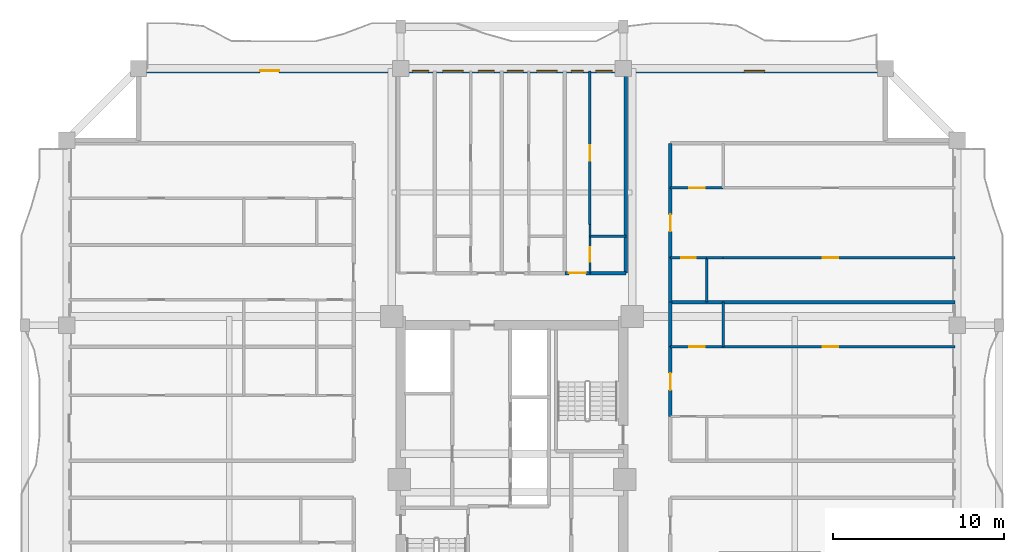
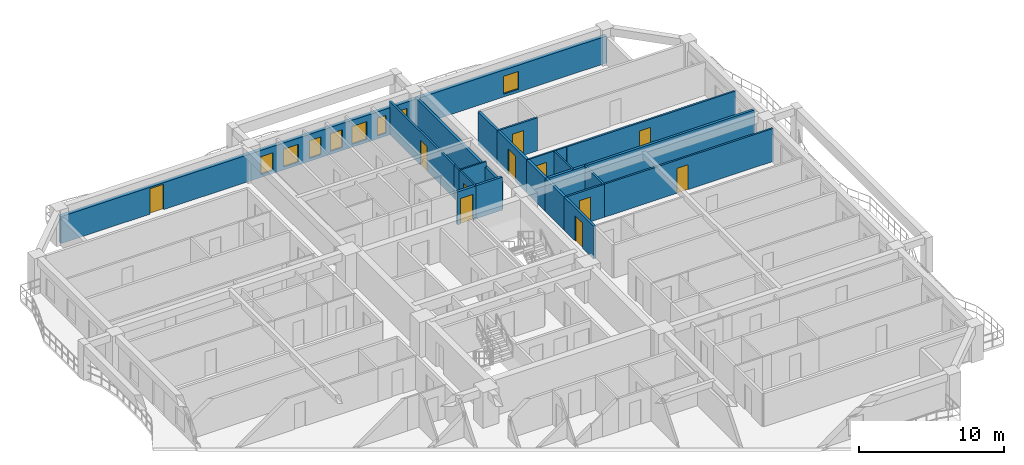
# One storey, part 8 of 14: 22 walls, 11 doors, 8 windows, 19 openings.
"""IFC4 building model written with IfcOpenShell, lengths in metres."""

from ifc_helpers import new_model, si_unit, direction, frame, frame_2d, origin, place, context, subcontext, project, spatial, rectangle, extrude, source, transform, mapped, material, layer, layer_set, type_object, element, fill, save


model = new_model("IFC4")

# Units and contexts
model_context = context("Model", 3, precision=1e-05, world=origin(), true_north=direction((0.0, 1.0)))
body_context = subcontext(model_context, "Body", "Model", "MODEL_VIEW")
ifc_project = project(units=[si_unit("LENGTHUNIT", "METRE"), si_unit("AREAUNIT", "SQUARE_METRE"), si_unit("VOLUMEUNIT", "CUBIC_METRE"), si_unit("PLANEANGLEUNIT", "RADIAN"), si_unit("MASSUNIT", "GRAM", prefix="KILO")], contexts=[model_context])

# Site, building, storey
site_placement = place(None, origin())
site = spatial("IfcSite", under=ifc_project, at=site_placement, CompositionType="ELEMENT")
building_placement = place(site_placement, origin())
building = spatial("IfcBuilding", under=site, at=building_placement, Name="Saelheon Loggia Tower", CompositionType="ELEMENT")
storey_placement = place(building_placement, frame((0.0, 0.0, 119.85009765625)))
storey = spatial("IfcBuildingStorey", under=building, at=storey_placement, Name="L38", CompositionType="ELEMENT", Elevation=119.85009765625)

# Wall, openings, windows, door
ifc_material_1 = material(Name="Architectural Precast Concrete C40/50", Category="concrete")
ifc_layer_1 = layer(ifc_material_1, 0.280029296875)
ifc_layer_set_1 = layer_set([ifc_layer_1], Name="Architectural Precast Concrete C40/50")
wall_type_1 = type_object("IfcWallType", Name="Wall_Ext_Loggia_280", PredefinedType="SOLIDWALL", material=ifc_layer_set_1)
wall_1_placement = place(storey_placement, frame((16.199951171875, 50.860107421875, 0.0), z_axis=(0.0, 0.0, 1.0), x_axis=(1.0, 0.0, 0.0)))
wall_1 = element("IfcWall", 1, at=wall_1_placement, inside=storey, type_object=wall_type_1, Name="L38 North Loggia Inner Wall", PredefinedType="SOLIDWALL", context=body_context, shape_type="SweptSolid", body=[
    extrude(rectangle(XDim=43.60009765625, YDim=0.280029296875, at=frame_2d((21.800048828125, 0.0))), origin(), (0.0, 0.0, 1.0), 2.27978515625),
])
opening_1_placement = place(wall_1_placement, frame((7.10009765625, 0.0, 0.0)))
opening_1 = element("IfcOpeningElement", 2, at=opening_1_placement, cuts=wall_1, Name="Opening TD1", PredefinedType="OPENING", context=body_context, shape_type="SweptSolid", body=[
    extrude(rectangle(XDim=1.10009765625, YDim=2.14990234375, at=frame_2d((0.550048828125, 1.074951171875))), frame((0.0, 0.152099609375, 0.0), z_axis=(0.0, -1.0, 0.0), x_axis=(1.0, 0.0, 0.0)), (0.0, 0.0, 1.0), 0.303955078125),
])
opening_2_placement = place(wall_1_placement, frame((15.982421875, 0.0, 0.25)))
opening_2 = element("IfcOpeningElement", 3, at=opening_2_placement, cuts=wall_1, Name="Opening WN-04", PredefinedType="OPENING", context=body_context, shape_type="SweptSolid", body=[
    extrude(rectangle(XDim=0.949951171875, YDim=1.5, at=frame_2d((0.47509765625, 0.75))), frame((0.0, 0.152099609375, 0.0), z_axis=(0.0, -1.0, 0.0), x_axis=(1.0, 0.0, 0.0)), (0.0, 0.0, 1.0), 0.303955078125),
])
opening_3_placement = place(wall_1_placement, frame((17.75, 0.0, 0.25)))
opening_3 = element("IfcOpeningElement", 4, at=opening_3_placement, cuts=wall_1, Name="Opening WN-03", PredefinedType="OPENING", context=body_context, shape_type="SweptSolid", body=[
    extrude(rectangle(XDim=1.199951171875, YDim=1.5, at=frame_2d((0.60009765625, 0.75))), frame((0.0, 0.152099609375, 0.0), z_axis=(0.0, -1.0, 0.0), x_axis=(1.0, 0.0, 0.0)), (0.0, 0.0, 1.0), 0.303955078125),
])
opening_4_placement = place(wall_1_placement, frame((19.826416015625, 0.0, 0.25)))
opening_4 = element("IfcOpeningElement", 5, at=opening_4_placement, cuts=wall_1, Name="Opening WN-04", PredefinedType="OPENING", context=body_context, shape_type="SweptSolid", body=[
    extrude(rectangle(XDim=0.949951171875, YDim=1.5, at=frame_2d((0.47509765625, 0.75))), frame((0.0, 0.152099609375, 0.0), z_axis=(0.0, -1.0, 0.0), x_axis=(1.0, 0.0, 0.0)), (0.0, 0.0, 1.0), 0.303955078125),
])
opening_5_placement = place(wall_1_placement, frame((21.517333984375, 0.0, 0.25)))
opening_5 = element("IfcOpeningElement", 6, at=opening_5_placement, cuts=wall_1, Name="Opening WN-04", PredefinedType="OPENING", context=body_context, shape_type="SweptSolid", body=[
    extrude(rectangle(XDim=0.949951171875, YDim=1.5, at=frame_2d((0.47509765625, 0.75))), frame((0.0, 0.152099609375, 0.0), z_axis=(0.0, -1.0, 0.0), x_axis=(1.0, 0.0, 0.0)), (0.0, 0.0, 1.0), 0.303955078125),
])
opening_6_placement = place(wall_1_placement, frame((23.23193359375, 0.0, 0.25)))
opening_6 = element("IfcOpeningElement", 7, at=opening_6_placement, cuts=wall_1, Name="Opening WN-03", PredefinedType="OPENING", context=body_context, shape_type="SweptSolid", body=[
    extrude(rectangle(XDim=1.199951171875, YDim=1.5, at=frame_2d((0.60009765625, 0.75))), frame((0.0, 0.152099609375, 0.0), z_axis=(0.0, -1.0, 0.0), x_axis=(1.0, 0.0, 0.0)), (0.0, 0.0, 1.0), 0.303955078125),
])
opening_7_placement = place(wall_1_placement, frame((25.26611328125, 0.0, 0.25)))
opening_7 = element("IfcOpeningElement", 8, at=opening_7_placement, cuts=wall_1, Name="Opening WN-06", PredefinedType="OPENING", context=body_context, shape_type="SweptSolid", body=[
    extrude(rectangle(XDim=0.699951171875, YDim=1.5, at=frame_2d((0.35009765625, 0.75))), frame((0.0, 0.152099609375, 0.0), z_axis=(0.0, -1.0, 0.0), x_axis=(1.0, 0.0, 0.0)), (0.0, 0.0, 1.0), 0.303955078125),
])
opening_8_placement = place(wall_1_placement, frame((26.6923828125, 0.0, 0.25)))
opening_8 = element("IfcOpeningElement", 9, at=opening_8_placement, cuts=wall_1, Name="Opening WN-04", PredefinedType="OPENING", context=body_context, shape_type="SweptSolid", body=[
    extrude(rectangle(XDim=0.949951171875, YDim=1.5, at=frame_2d((0.47509765625, 0.75))), frame((0.0, 0.152099609375, 0.0), z_axis=(0.0, -1.0, 0.0), x_axis=(1.0, 0.0, 0.0)), (0.0, 0.0, 1.0), 0.303955078125),
])
opening_9_placement = place(wall_1_placement, frame((35.35009765625, 0.0, 0.25)))
opening_9 = element("IfcOpeningElement", 10, at=opening_9_placement, cuts=wall_1, Name="Opening WN-03", PredefinedType="OPENING", context=body_context, shape_type="SweptSolid", body=[
    extrude(rectangle(XDim=1.199951171875, YDim=1.5, at=frame_2d((0.60009765625, 0.75))), frame((0.0, 0.152099609375, 0.0), z_axis=(0.0, -1.0, 0.0), x_axis=(1.0, 0.0, 0.0)), (0.0, 0.0, 1.0), 0.303955078125),
])
ifc_material_2 = material(Name="Thermal-Break Aluminium and Triple Low-E Glass", Category="aluminium")
window_type_1 = type_object("IfcWindowType", Name="Win_Slot_700x1500", PartitioningType="SINGLE_PANEL", PredefinedType="WINDOW", material=ifc_material_2)
shared_shape_1 = source(origin(), body_context, "Body", "SweptSolid", [
    extrude(rectangle(XDim=0.699951171875, YDim=1.5, at=frame_2d((0.35009765625, 0.75))), frame((0.0, 0.030029296875, 0.0), z_axis=(0.0, -1.0, 0.0), x_axis=(1.0, 0.0, 0.0)), (0.0, 0.0, 1.0), 0.06005859375),
])
window_1_placement = place(opening_7_placement, origin())
window_1 = element("IfcWindow", 11, at=window_1_placement, inside=storey, type_object=window_type_1, Name="L38 N Dwelling Window 7", OverallHeight=1.5, OverallWidth=0.699951171875, PartitioningType="SINGLE_PANEL", PredefinedType="WINDOW", context=body_context, shape_type="MappedRepresentation", body=[
    mapped(shared_shape_1, transform((0.0, 0.0, 0.0), scale=1.0)),
])
fill(opening_7, window_1)
window_type_2 = type_object("IfcWindowType", Name="Win_Bedroom_1200x1500", PartitioningType="SINGLE_PANEL", PredefinedType="WINDOW", material=ifc_material_2)
shared_shape_2 = source(origin(), body_context, "Body", "SweptSolid", [
    extrude(rectangle(XDim=1.199951171875, YDim=1.5, at=frame_2d((0.60009765625, 0.75))), frame((0.0, 0.030029296875, 0.0), z_axis=(0.0, -1.0, 0.0), x_axis=(1.0, 0.0, 0.0)), (0.0, 0.0, 1.0), 0.06005859375),
])
window_2_placement = place(opening_3_placement, origin())
window_2 = element("IfcWindow", 12, at=window_2_placement, inside=storey, type_object=window_type_2, Name="L38 N Dwelling Window 3", OverallHeight=1.5, OverallWidth=1.199951171875, PartitioningType="SINGLE_PANEL", PredefinedType="WINDOW", context=body_context, shape_type="MappedRepresentation", body=[
    mapped(shared_shape_2, transform((0.0, 0.0, 0.0), scale=1.0)),
])
fill(opening_3, window_2)
window_3_placement = place(opening_6_placement, origin())
window_3 = element("IfcWindow", 13, at=window_3_placement, inside=storey, type_object=window_type_2, Name="L38 N Dwelling Window 6", OverallHeight=1.5, OverallWidth=1.199951171875, PartitioningType="SINGLE_PANEL", PredefinedType="WINDOW", context=body_context, shape_type="MappedRepresentation", body=[
    mapped(shared_shape_2, transform((0.0, 0.0, 0.0), scale=1.0)),
])
fill(opening_6, window_3)
window_4_placement = place(opening_9_placement, origin())
window_4 = element("IfcWindow", 14, at=window_4_placement, inside=storey, type_object=window_type_2, Name="L38 N Dwelling Window 9", OverallHeight=1.5, OverallWidth=1.199951171875, PartitioningType="SINGLE_PANEL", PredefinedType="WINDOW", context=body_context, shape_type="MappedRepresentation", body=[
    mapped(shared_shape_2, transform((0.0, 0.0, 0.0), scale=1.0)),
])
fill(opening_9, window_4)
ifc_material_3 = material(Name="Thermal-Break Aluminium Glazed Door", Category="aluminium")
door_type_1 = type_object("IfcDoorType", Name="Door_Terrace_TD1", OperationType="NOTDEFINED", PredefinedType="DOOR", material=ifc_material_3)
shared_shape_3 = source(origin(), body_context, "Body", "SweptSolid", [
    extrude(rectangle(XDim=1.10009765625, YDim=2.14990234375, at=frame_2d((0.550048828125, 1.074951171875))), frame((0.0, 0.02490234375, 0.0), z_axis=(0.0, -1.0, 0.0), x_axis=(1.0, 0.0, 0.0)), (0.0, 0.0, 1.0), 0.050048828125),
])
door_1_placement = place(opening_1_placement, origin())
door_1 = element("IfcDoor", 15, at=door_1_placement, inside=storey, type_object=door_type_1, Name="L38 N Loggia Access Door", OperationType="SINGLE_SWING_LEFT", OverallHeight=2.14990234375, OverallWidth=1.10009765625, PredefinedType="DOOR", context=body_context, shape_type="MappedRepresentation", body=[
    mapped(shared_shape_3, transform((0.0, 0.0, 0.0), scale=1.0)),
])
fill(opening_1, door_1)
window_type_3 = type_object("IfcWindowType", Name="Win_Narrow_950x1500", PartitioningType="SINGLE_PANEL", PredefinedType="WINDOW", material=ifc_material_2)
shared_shape_4 = source(origin(), body_context, "Body", "SweptSolid", [
    extrude(rectangle(XDim=0.949951171875, YDim=1.5, at=frame_2d((0.47509765625, 0.75))), frame((0.0, 0.030029296875, 0.0), z_axis=(0.0, -1.0, 0.0), x_axis=(1.0, 0.0, 0.0)), (0.0, 0.0, 1.0), 0.06005859375),
])
window_5_placement = place(opening_2_placement, origin())
window_5 = element("IfcWindow", 16, at=window_5_placement, inside=storey, type_object=window_type_3, Name="L38 N Dwelling Window 2", OverallHeight=1.5, OverallWidth=0.949951171875, PartitioningType="SINGLE_PANEL", PredefinedType="WINDOW", context=body_context, shape_type="MappedRepresentation", body=[
    mapped(shared_shape_4, transform((0.0, 0.0, 0.0), scale=1.0)),
])
fill(opening_2, window_5)
window_6_placement = place(opening_4_placement, origin())
window_6 = element("IfcWindow", 17, at=window_6_placement, inside=storey, type_object=window_type_3, Name="L38 N Dwelling Window 4", OverallHeight=1.5, OverallWidth=0.949951171875, PartitioningType="SINGLE_PANEL", PredefinedType="WINDOW", context=body_context, shape_type="MappedRepresentation", body=[
    mapped(shared_shape_4, transform((0.0, 0.0, 0.0), scale=1.0)),
])
fill(opening_4, window_6)
window_7_placement = place(opening_5_placement, origin())
window_7 = element("IfcWindow", 18, at=window_7_placement, inside=storey, type_object=window_type_3, Name="L38 N Dwelling Window 5", OverallHeight=1.5, OverallWidth=0.949951171875, PartitioningType="SINGLE_PANEL", PredefinedType="WINDOW", context=body_context, shape_type="MappedRepresentation", body=[
    mapped(shared_shape_4, transform((0.0, 0.0, 0.0), scale=1.0)),
])
fill(opening_5, window_7)
window_8_placement = place(opening_8_placement, origin())
window_8 = element("IfcWindow", 19, at=window_8_placement, inside=storey, type_object=window_type_3, Name="L38 N Dwelling Window 8", OverallHeight=1.5, OverallWidth=0.949951171875, PartitioningType="SINGLE_PANEL", PredefinedType="WINDOW", context=body_context, shape_type="MappedRepresentation", body=[
    mapped(shared_shape_4, transform((0.0, 0.0, 0.0), scale=1.0)),
])
fill(opening_8, window_8)

# Wall, opening, door
ifc_material_4 = material(Name="Lightweight Autoclaved Aerated Concrete Block and Acoustic Gypsum", Category="concrete")
ifc_layer_2 = layer(ifc_material_4, 0.14990234375)
ifc_layer_set_2 = layer_set([ifc_layer_2], Name="Lightweight Autoclaved Aerated Concrete Block and Acoustic Gypsum")
wall_type_2 = type_object("IfcWallType", Name="Wall_Part_150", PredefinedType="PARTITIONING", material=ifc_layer_set_2)
wall_2_placement = place(storey_placement, frame((42.550048828125, 41.889892578125, 0.0), z_axis=(0.0, 0.0, 1.0), x_axis=(0.0, 1.0, 0.0)))
wall_2 = element("IfcWall", 20, at=wall_2_placement, inside=storey, type_object=wall_type_2, Name="L38 N Partition U24", PredefinedType="PARTITIONING", context=body_context, shape_type="SweptSolid", body=[
    extrude(rectangle(XDim=8.960205078125, YDim=0.14990234375, at=frame_2d((4.47998046875, 0.0))), origin(), (0.0, 0.0, 1.0), 2.789794921875),
])
opening_10_placement = place(wall_2_placement, frame((3.714111328125, 0.0, 0.0)))
opening_10 = element("IfcOpeningElement", 21, at=opening_10_placement, cuts=wall_2, Name="Opening D-IN2", PredefinedType="OPENING", context=body_context, shape_type="SweptSolid", body=[
    extrude(rectangle(XDim=0.89990234375, YDim=2.10009765625, at=frame_2d((0.449951171875, 1.050048828125))), frame((0.0, 0.0869140625, 0.0), z_axis=(0.0, -1.0, 0.0), x_axis=(1.0, 0.0, 0.0)), (0.0, 0.0, 1.0), 0.173828125),
])
ifc_material_5 = material(Name="Engineered Oak Flush Door", Category="timber")
door_type_2 = type_object("IfcDoorType", Name="Door_Int_900", OperationType="NOTDEFINED", PredefinedType="DOOR", material=ifc_material_5)
shared_shape_5 = source(origin(), body_context, "Body", "SweptSolid", [
    extrude(rectangle(XDim=0.89990234375, YDim=2.10009765625, at=frame_2d((0.449951171875, 1.050048828125))), frame((0.0, 0.02490234375, 0.0), z_axis=(0.0, -1.0, 0.0), x_axis=(1.0, 0.0, 0.0)), (0.0, 0.0, 1.0), 0.050048828125),
])
door_2_placement = place(opening_10_placement, origin())
door_2 = element("IfcDoor", 22, at=door_2_placement, inside=storey, type_object=door_type_2, Name="Unit U04 Kitchen Door", OperationType="SINGLE_SWING_RIGHT", OverallHeight=2.10009765625, OverallWidth=0.89990234375, PredefinedType="DOOR", context=body_context, shape_type="MappedRepresentation", body=[
    mapped(shared_shape_5, transform((0.0, 0.0, 0.0), scale=1.0)),
])
fill(opening_10, door_2)

# Wall
wall_3_placement = place(storey_placement, frame((50.330078125, 34.75, 0.0), z_axis=(0.0, 0.0, 1.0), x_axis=(0.0, 1.0, 0.0)))
element("IfcWall", 23, at=wall_3_placement, inside=storey, type_object=wall_type_2, Name="L38 EN Partition V07", PredefinedType="PARTITIONING", context=body_context, shape_type="SweptSolid", body=[
    extrude(rectangle(XDim=2.60009765625, YDim=0.14990234375, at=frame_2d((1.300048828125, 0.0))), origin(), (0.0, 0.0, 1.0), 2.789794921875),
])

# Wall, opening, door
wall_4_placement = place(storey_placement, frame((47.25, 34.75, 0.0), z_axis=(0.0, 0.0, 1.0), x_axis=(1.0, 0.0, 0.0)))
wall_4 = element("IfcWall", 24, at=wall_4_placement, inside=storey, type_object=wall_type_2, Name="L38 EN Partition U11", PredefinedType="PARTITIONING", context=body_context, shape_type="SweptSolid", body=[
    extrude(rectangle(XDim=3.080078125, YDim=0.14990234375, at=frame_2d((1.5400390625, 0.0))), origin(), (0.0, 0.0, 1.0), 2.789794921875),
])
opening_11_placement = place(wall_4_placement, frame((1.090087890625, 0.0, 0.0)))
opening_11 = element("IfcOpeningElement", 25, at=opening_11_placement, cuts=wall_4, Name="Opening D-IN2", PredefinedType="OPENING", context=body_context, shape_type="SweptSolid", body=[
    extrude(rectangle(XDim=0.89990234375, YDim=2.10009765625, at=frame_2d((0.449951171875, 1.050048828125))), frame((0.0, 0.0869140625, 0.0), z_axis=(0.0, -1.0, 0.0), x_axis=(1.0, 0.0, 0.0)), (0.0, 0.0, 1.0), 0.173828125),
])
door_3_placement = place(opening_11_placement, origin())
door_3 = element("IfcDoor", 26, at=door_3_placement, inside=storey, type_object=door_type_2, Name="Unit U13 Dressing Closet Door", OperationType="SINGLE_SWING_LEFT", OverallHeight=2.10009765625, OverallWidth=0.89990234375, PredefinedType="DOOR", context=body_context, shape_type="MappedRepresentation", body=[
    mapped(shared_shape_5, transform((0.0, 0.0, 0.0), scale=1.0)),
])
fill(opening_11, door_3)

wall_5_placement = place(storey_placement, frame((50.330078125, 34.75, 0.0), z_axis=(0.0, 0.0, 1.0), x_axis=(1.0, 0.0, 0.0)))
wall_5 = element("IfcWall", 27, at=wall_5_placement, inside=storey, type_object=wall_type_2, Name="L38 EN Partition U12", PredefinedType="PARTITIONING", context=body_context, shape_type="SweptSolid", body=[
    extrude(rectangle(XDim=13.52001953125, YDim=0.14990234375, at=frame_2d((6.760009765625, 0.0))), origin(), (0.0, 0.0, 1.0), 2.789794921875),
])
opening_12_placement = place(wall_5_placement, frame((5.80419921875, 0.0, 0.0)))
opening_12 = element("IfcOpeningElement", 28, at=opening_12_placement, cuts=wall_5, Name="Opening D-IN2", PredefinedType="OPENING", context=body_context, shape_type="SweptSolid", body=[
    extrude(rectangle(XDim=0.89990234375, YDim=2.10009765625, at=frame_2d((0.449951171875, 1.050048828125))), frame((0.0, 0.0869140625, 0.0), z_axis=(0.0, -1.0, 0.0), x_axis=(1.0, 0.0, 0.0)), (0.0, 0.0, 1.0), 0.173828125),
])
door_4_placement = place(opening_12_placement, origin())
door_4 = element("IfcDoor", 29, at=door_4_placement, inside=storey, type_object=door_type_2, Name="Unit U13 Bedroom 1 Door", OperationType="SINGLE_SWING_RIGHT", OverallHeight=2.10009765625, OverallWidth=0.89990234375, PredefinedType="DOOR", context=body_context, shape_type="MappedRepresentation", body=[
    mapped(shared_shape_5, transform((0.0, 0.0, 0.0), scale=1.0)),
])
fill(opening_12, door_4)

wall_6_placement = place(storey_placement, frame((50.330078125, 39.945556640625, 0.0), z_axis=(0.0, 0.0, 1.0), x_axis=(1.0, 0.0, 0.0)))
wall_6 = element("IfcWall", 30, at=wall_6_placement, inside=storey, type_object=wall_type_2, Name="L38 EN Partition U21", PredefinedType="PARTITIONING", context=body_context, shape_type="SweptSolid", body=[
    extrude(rectangle(XDim=13.52001953125, YDim=0.14990234375, at=frame_2d((6.760009765625, 0.0))), origin(), (0.0, 0.0, 1.0), 2.789794921875),
])
opening_13_placement = place(wall_6_placement, frame((5.80419921875, 0.0, 0.0)))
opening_13 = element("IfcOpeningElement", 31, at=opening_13_placement, cuts=wall_6, Name="Opening D-IN2", PredefinedType="OPENING", context=body_context, shape_type="SweptSolid", body=[
    extrude(rectangle(XDim=0.89990234375, YDim=2.10009765625, at=frame_2d((0.449951171875, 1.050048828125))), frame((0.0, 0.0869140625, 0.0), z_axis=(0.0, -1.0, 0.0), x_axis=(1.0, 0.0, 0.0)), (0.0, 0.0, 1.0), 0.173828125),
])
door_5_placement = place(opening_13_placement, origin())
door_5 = element("IfcDoor", 32, at=door_5_placement, inside=storey, type_object=door_type_2, Name="Unit U14 Kitchen Door", OperationType="SINGLE_SWING_LEFT", OverallHeight=2.10009765625, OverallWidth=0.89990234375, PredefinedType="DOOR", context=body_context, shape_type="MappedRepresentation", body=[
    mapped(shared_shape_5, transform((0.0, 0.0, 0.0), scale=1.0)),
])
fill(opening_13, door_5)

wall_7_placement = place(storey_placement, frame((47.25, 44.02001953125, 0.0), z_axis=(0.0, 0.0, 1.0), x_axis=(1.0, 0.0, 0.0)))
wall_7 = element("IfcWall", 33, at=wall_7_placement, inside=storey, type_object=wall_type_2, Name="L38 EN Partition U22", PredefinedType="PARTITIONING", context=body_context, shape_type="SweptSolid", body=[
    extrude(rectangle(XDim=3.080078125, YDim=0.14990234375, at=frame_2d((1.5400390625, 0.0))), origin(), (0.0, 0.0, 1.0), 2.789794921875),
])
opening_14_placement = place(wall_7_placement, frame((1.090087890625, 0.0, 0.0)))
opening_14 = element("IfcOpeningElement", 34, at=opening_14_placement, cuts=wall_7, Name="Opening D-IN2", PredefinedType="OPENING", context=body_context, shape_type="SweptSolid", body=[
    extrude(rectangle(XDim=0.89990234375, YDim=2.10009765625, at=frame_2d((0.449951171875, 1.050048828125))), frame((0.0, 0.0869140625, 0.0), z_axis=(0.0, -1.0, 0.0), x_axis=(1.0, 0.0, 0.0)), (0.0, 0.0, 1.0), 0.173828125),
])
door_6_placement = place(opening_14_placement, origin())
door_6 = element("IfcDoor", 35, at=door_6_placement, inside=storey, type_object=door_type_2, Name="Unit U14 Dressing Closet Door", OperationType="SINGLE_SWING_RIGHT", OverallHeight=2.10009765625, OverallWidth=0.89990234375, PredefinedType="DOOR", context=body_context, shape_type="MappedRepresentation", body=[
    mapped(shared_shape_5, transform((0.0, 0.0, 0.0), scale=1.0)),
])
fill(opening_14, door_6)

# Wall
ifc_material_6 = material(Name="Double Acoustic Stud and Fireboard Partition", Category="gypsum")
ifc_layer_3 = layer(ifc_material_6, 0.199951171875)
ifc_layer_set_3 = layer_set([ifc_layer_3], Name="Double Acoustic Stud and Fireboard Partition")
wall_type_3 = type_object("IfcWallType", Name="Wall_Party_200", PredefinedType="PARTITIONING", material=ifc_layer_set_3)
wall_8_placement = place(storey_placement, frame((44.64990234375, 39.050048828125, 0.0), z_axis=(0.0, 0.0, 1.0), x_axis=(0.0, 1.0, 0.0)))
element("IfcWall", 36, at=wall_8_placement, inside=storey, type_object=wall_type_3, Name="L38 N Partition U02", PredefinedType="PARTITIONING", context=body_context, shape_type="SweptSolid", body=[
    extrude(rectangle(XDim=11.800048828125, YDim=0.199951171875, at=frame_2d((5.89990234375, 0.0))), origin(), (0.0, 0.0, 1.0), 2.33984375),
])

# Wall, opening, door
wall_9_placement = place(storey_placement, frame((41.08203125, 39.050048828125, 0.0), z_axis=(0.0, 0.0, 1.0), x_axis=(1.0, 0.0, 0.0)))
wall_9 = element("IfcWall", 37, at=wall_9_placement, inside=storey, type_object=wall_type_3, Name="L38 N Partition V19", PredefinedType="PARTITIONING", context=body_context, shape_type="SweptSolid", body=[
    extrude(rectangle(XDim=1.468017578125, YDim=0.199951171875, at=frame_2d((0.73388671875, 0.0))), origin(), (0.0, 0.0, 1.0), 2.789794921875),
])
opening_15_placement = place(wall_9_placement, frame((0.23388671875, 0.0, 0.0)))
opening_15 = element("IfcOpeningElement", 38, at=opening_15_placement, cuts=wall_9, Name="Opening D-FD1", PredefinedType="OPENING", context=body_context, shape_type="SweptSolid", body=[
    extrude(rectangle(XDim=1.0, YDim=2.14990234375, at=frame_2d((0.5, 1.074951171875))), frame((0.0, 0.112060546875, 0.0), z_axis=(0.0, -1.0, 0.0), x_axis=(1.0, 0.0, 0.0)), (0.0, 0.0, 1.0), 0.223876953125),
])
ifc_material_7 = material(Name="Fire-Rated Engineered Timber Entrance Door", Category="wood")
door_type_3 = type_object("IfcDoorType", Name="Door_Flat_FD30S", OperationType="NOTDEFINED", PredefinedType="DOOR", material=ifc_material_7)
shared_shape_6 = source(origin(), body_context, "Body", "SweptSolid", [
    extrude(rectangle(XDim=1.0, YDim=2.14990234375, at=frame_2d((0.5, 1.074951171875))), frame((0.0, 0.02490234375, 0.0), z_axis=(0.0, -1.0, 0.0), x_axis=(1.0, 0.0, 0.0)), (0.0, 0.0, 1.0), 0.050048828125),
])
door_7_placement = place(opening_15_placement, origin())
door_7 = element("IfcDoor", 39, at=door_7_placement, inside=storey, type_object=door_type_3, Name="Unit U04 Entrance Door", OperationType="SINGLE_SWING_RIGHT", OverallHeight=2.14990234375, OverallWidth=1.0, PredefinedType="DOOR", context=body_context, shape_type="MappedRepresentation", body=[
    mapped(shared_shape_6, transform((0.0, 0.0, 0.0), scale=1.0)),
])
fill(opening_15, door_7)

# Wall
wall_10_placement = place(storey_placement, frame((42.550048828125, 39.050048828125, 0.0), z_axis=(0.0, 0.0, 1.0), x_axis=(1.0, 0.0, 0.0)))
element("IfcWall", 40, at=wall_10_placement, inside=storey, type_object=wall_type_3, Name="L38 N Partition V20", PredefinedType="PARTITIONING", context=body_context, shape_type="SweptSolid", body=[
    extrude(rectangle(XDim=2.099853515625, YDim=0.199951171875, at=frame_2d((1.0498046875, 0.0))), origin(), (0.0, 0.0, 1.0), 2.789794921875),
])

# Wall, opening, door
wall_11_placement = place(storey_placement, frame((47.25, 30.675537109375, 0.0), z_axis=(0.0, 0.0, 1.0), x_axis=(0.0, 1.0, 0.0)))
wall_11 = element("IfcWall", 41, at=wall_11_placement, inside=storey, type_object=wall_type_3, Name="L38 EN Partition V04", PredefinedType="PARTITIONING", context=body_context, shape_type="SweptSolid", body=[
    extrude(rectangle(XDim=4.074462890625, YDim=0.199951171875, at=frame_2d((2.037109375, 0.0))), origin(), (0.0, 0.0, 1.0), 2.789794921875),
])
opening_16_placement = place(wall_11_placement, frame((1.537109375, 0.0, 0.0)))
opening_16 = element("IfcOpeningElement", 42, at=opening_16_placement, cuts=wall_11, Name="Opening D-FD1", PredefinedType="OPENING", context=body_context, shape_type="SweptSolid", body=[
    extrude(rectangle(XDim=1.0, YDim=2.14990234375, at=frame_2d((0.5, 1.074951171875))), frame((0.0, 0.112060546875, 0.0), z_axis=(0.0, -1.0, 0.0), x_axis=(1.0, 0.0, 0.0)), (0.0, 0.0, 1.0), 0.223876953125),
])
door_8_placement = place(opening_16_placement, origin())
door_8 = element("IfcDoor", 43, at=door_8_placement, inside=storey, type_object=door_type_3, Name="Unit U13 Entrance Door", OperationType="SINGLE_SWING_RIGHT", OverallHeight=2.14990234375, OverallWidth=1.0, PredefinedType="DOOR", context=body_context, shape_type="MappedRepresentation", body=[
    mapped(shared_shape_6, transform((0.0, 0.0, 0.0), scale=1.0)),
])
fill(opening_16, door_8)

# Walls
wall_12_placement = place(storey_placement, frame((47.25, 34.75, 0.0), z_axis=(0.0, 0.0, 1.0), x_axis=(0.0, 1.0, 0.0)))
element("IfcWall", 44, at=wall_12_placement, inside=storey, type_object=wall_type_3, Name="L38 EN Partition V05", PredefinedType="PARTITIONING", context=body_context, shape_type="SweptSolid", body=[
    extrude(rectangle(XDim=2.60009765625, YDim=0.199951171875, at=frame_2d((1.300048828125, 0.0))), origin(), (0.0, 0.0, 1.0), 2.789794921875),
])
wall_13_placement = place(storey_placement, frame((47.25, 37.35009765625, 0.0), z_axis=(0.0, 0.0, 1.0), x_axis=(1.0, 0.0, 0.0)))
element("IfcWall", 45, at=wall_13_placement, inside=storey, type_object=wall_type_3, Name="L38 EN Partition U13", PredefinedType="PARTITIONING", context=body_context, shape_type="SweptSolid", body=[
    extrude(rectangle(XDim=16.60009765625, YDim=0.199951171875, at=frame_2d((8.300048828125, 0.0))), origin(), (0.0, 0.0, 1.0), 2.789794921875),
])
wall_14_placement = place(storey_placement, frame((47.25, 37.35009765625, 0.0), z_axis=(0.0, 0.0, 1.0), x_axis=(0.0, 1.0, 0.0)))
element("IfcWall", 46, at=wall_14_placement, inside=storey, type_object=wall_type_3, Name="L38 EN Partition V14", PredefinedType="PARTITIONING", context=body_context, shape_type="SweptSolid", body=[
    extrude(rectangle(XDim=2.595458984375, YDim=0.199951171875, at=frame_2d((1.2978515625, 0.0))), origin(), (0.0, 0.0, 1.0), 2.789794921875),
])

# Wall, opening, door
wall_15_placement = place(storey_placement, frame((47.25, 39.945556640625, 0.0), z_axis=(0.0, 0.0, 1.0), x_axis=(0.0, 1.0, 0.0)))
wall_15 = element("IfcWall", 47, at=wall_15_placement, inside=storey, type_object=wall_type_3, Name="L38 EN Partition V15", PredefinedType="PARTITIONING", context=body_context, shape_type="SweptSolid", body=[
    extrude(rectangle(XDim=4.074462890625, YDim=0.199951171875, at=frame_2d((2.037109375, 0.0))), origin(), (0.0, 0.0, 1.0), 2.789794921875),
])
opening_17_placement = place(wall_15_placement, frame((1.537109375, 0.0, 0.0)))
opening_17 = element("IfcOpeningElement", 48, at=opening_17_placement, cuts=wall_15, Name="Opening D-FD1", PredefinedType="OPENING", context=body_context, shape_type="SweptSolid", body=[
    extrude(rectangle(XDim=1.0, YDim=2.14990234375, at=frame_2d((0.5, 1.074951171875))), frame((0.0, 0.112060546875, 0.0), z_axis=(0.0, -1.0, 0.0), x_axis=(1.0, 0.0, 0.0)), (0.0, 0.0, 1.0), 0.223876953125),
])
door_9_placement = place(opening_17_placement, origin())
door_9 = element("IfcDoor", 49, at=door_9_placement, inside=storey, type_object=door_type_3, Name="Unit U14 Entrance Door", OperationType="SINGLE_SWING_LEFT", OverallHeight=2.14990234375, OverallWidth=1.0, PredefinedType="DOOR", context=body_context, shape_type="MappedRepresentation", body=[
    mapped(shared_shape_6, transform((0.0, 0.0, 0.0), scale=1.0)),
])
fill(opening_17, door_9)

# Wall
wall_16_placement = place(storey_placement, frame((47.25, 44.02001953125, 0.0), z_axis=(0.0, 0.0, 1.0), x_axis=(0.0, 1.0, 0.0)))
element("IfcWall", 50, at=wall_16_placement, inside=storey, type_object=wall_type_3, Name="L38 EN Partition V16", PredefinedType="PARTITIONING", context=body_context, shape_type="SweptSolid", body=[
    extrude(rectangle(XDim=2.60009765625, YDim=0.199951171875, at=frame_2d((1.300048828125, 0.0))), origin(), (0.0, 0.0, 1.0), 2.789794921875),
])

# Wall, opening, door
ifc_material_8 = material(Name="Moisture-Resistant Cement Board Partition", Category="gypsum")
ifc_layer_4 = layer(ifc_material_8, 0.1201171875)
ifc_layer_set_4 = layer_set([ifc_layer_4], Name="Moisture-Resistant Cement Board Partition")
wall_type_4 = type_object("IfcWallType", Name="Wall_WetPart_120", PredefinedType="PARTITIONING", material=ifc_layer_set_4)
wall_17_placement = place(storey_placement, frame((42.550048828125, 39.050048828125, 0.0), z_axis=(0.0, 0.0, 1.0), x_axis=(0.0, 1.0, 0.0)))
wall_17 = element("IfcWall", 51, at=wall_17_placement, inside=storey, type_object=wall_type_4, Name="L38 N Partition U21", PredefinedType="PARTITIONING", context=body_context, shape_type="SweptSolid", body=[
    extrude(rectangle(XDim=2.14990234375, YDim=0.1201171875, at=frame_2d((1.074951171875, 0.0))), origin(), (0.0, 0.0, 1.0), 2.789794921875),
])
opening_18_placement = place(wall_17_placement, frame((0.64990234375, 0.0, 0.0)))
opening_18 = element("IfcOpeningElement", 52, at=opening_18_placement, cuts=wall_17, Name="Opening D-BT1", PredefinedType="OPENING", context=body_context, shape_type="SweptSolid", body=[
    extrude(rectangle(XDim=0.85009765625, YDim=2.050048828125, at=frame_2d((0.425048828125, 1.02490234375))), frame((0.0, 0.072021484375, 0.0), z_axis=(0.0, -1.0, 0.0), x_axis=(1.0, 0.0, 0.0)), (0.0, 0.0, 1.0), 0.14404296875),
])
ifc_material_9 = material(Name="Moisture-Resistant Laminate Timber Door", Category="wood")
door_type_4 = type_object("IfcDoorType", Name="Door_Bath_850", OperationType="NOTDEFINED", PredefinedType="DOOR", material=ifc_material_9)
shared_shape_7 = source(origin(), body_context, "Body", "SweptSolid", [
    extrude(rectangle(XDim=0.85009765625, YDim=2.050048828125, at=frame_2d((0.425048828125, 1.02490234375))), frame((0.0, 0.02490234375, 0.0), z_axis=(0.0, -1.0, 0.0), x_axis=(1.0, 0.0, 0.0)), (0.0, 0.0, 1.0), 0.050048828125),
])
door_10_placement = place(opening_18_placement, origin())
door_10 = element("IfcDoor", 53, at=door_10_placement, inside=storey, type_object=door_type_4, Name="Unit U04 Bathroom Door", OperationType="SINGLE_SWING_LEFT", OverallHeight=2.050048828125, OverallWidth=0.85009765625, PredefinedType="DOOR", context=body_context, shape_type="MappedRepresentation", body=[
    mapped(shared_shape_7, transform((0.0, 0.0, 0.0), scale=1.0)),
])
fill(opening_18, door_10)

# Walls
wall_18_placement = place(storey_placement, frame((42.550048828125, 41.199951171875, 0.0), z_axis=(0.0, 0.0, 1.0), x_axis=(0.0, 1.0, 0.0)))
element("IfcWall", 54, at=wall_18_placement, inside=storey, type_object=wall_type_4, Name="L38 N Partition U22", PredefinedType="PARTITIONING", context=body_context, shape_type="SweptSolid", body=[
    extrude(rectangle(XDim=0.68994140625, YDim=0.1201171875, at=frame_2d((0.344970703125, 0.0))), origin(), (0.0, 0.0, 1.0), 2.789794921875),
])
wall_19_placement = place(storey_placement, frame((42.550048828125, 41.199951171875, 0.0), z_axis=(0.0, 0.0, 1.0), x_axis=(1.0, 0.0, 0.0)))
element("IfcWall", 55, at=wall_19_placement, inside=storey, type_object=wall_type_4, Name="L38 N Partition V23", PredefinedType="PARTITIONING", context=body_context, shape_type="SweptSolid", body=[
    extrude(rectangle(XDim=2.099853515625, YDim=0.1201171875, at=frame_2d((1.0498046875, 0.0))), origin(), (0.0, 0.0, 1.0), 2.789794921875),
])
wall_20_placement = place(storey_placement, frame((49.3701171875, 37.35009765625, 0.0), z_axis=(0.0, 0.0, 1.0), x_axis=(0.0, 1.0, 0.0)))
element("IfcWall", 56, at=wall_20_placement, inside=storey, type_object=wall_type_4, Name="L38 EN Partition V17", PredefinedType="PARTITIONING", context=body_context, shape_type="SweptSolid", body=[
    extrude(rectangle(XDim=2.595458984375, YDim=0.1201171875, at=frame_2d((1.2978515625, 0.0))), origin(), (0.0, 0.0, 1.0), 2.789794921875),
])

# Wall, opening, door
wall_21_placement = place(storey_placement, frame((47.25, 39.945556640625, 0.0), z_axis=(0.0, 0.0, 1.0), x_axis=(1.0, 0.0, 0.0)))
wall_21 = element("IfcWall", 57, at=wall_21_placement, inside=storey, type_object=wall_type_4, Name="L38 EN Partition U19", PredefinedType="PARTITIONING", context=body_context, shape_type="SweptSolid", body=[
    extrude(rectangle(XDim=2.1201171875, YDim=0.1201171875, at=frame_2d((1.06005859375, 0.0))), origin(), (0.0, 0.0, 1.0), 2.789794921875),
])
opening_19_placement = place(wall_21_placement, frame((0.635009765625, 0.0, 0.0)))
opening_19 = element("IfcOpeningElement", 58, at=opening_19_placement, cuts=wall_21, Name="Opening D-BT1", PredefinedType="OPENING", context=body_context, shape_type="SweptSolid", body=[
    extrude(rectangle(XDim=0.85009765625, YDim=2.050048828125, at=frame_2d((0.425048828125, 1.02490234375))), frame((0.0, 0.072021484375, 0.0), z_axis=(0.0, -1.0, 0.0), x_axis=(1.0, 0.0, 0.0)), (0.0, 0.0, 1.0), 0.14404296875),
])
door_11_placement = place(opening_19_placement, origin())
door_11 = element("IfcDoor", 59, at=door_11_placement, inside=storey, type_object=door_type_4, Name="Unit U14 Bathroom Door", OperationType="SINGLE_SWING_RIGHT", OverallHeight=2.050048828125, OverallWidth=0.85009765625, PredefinedType="DOOR", context=body_context, shape_type="MappedRepresentation", body=[
    mapped(shared_shape_7, transform((0.0, 0.0, 0.0), scale=1.0)),
])
fill(opening_19, door_11)

# Wall
wall_22_placement = place(storey_placement, frame((49.3701171875, 39.945556640625, 0.0), z_axis=(0.0, 0.0, 1.0), x_axis=(1.0, 0.0, 0.0)))
element("IfcWall", 60, at=wall_22_placement, inside=storey, type_object=wall_type_4, Name="L38 EN Partition U20", PredefinedType="PARTITIONING", context=body_context, shape_type="SweptSolid", body=[
    extrude(rectangle(XDim=0.9599609375, YDim=0.1201171875, at=frame_2d((0.47998046875, 0.0))), origin(), (0.0, 0.0, 1.0), 2.789794921875),
])

save(model, "model.ifc")
